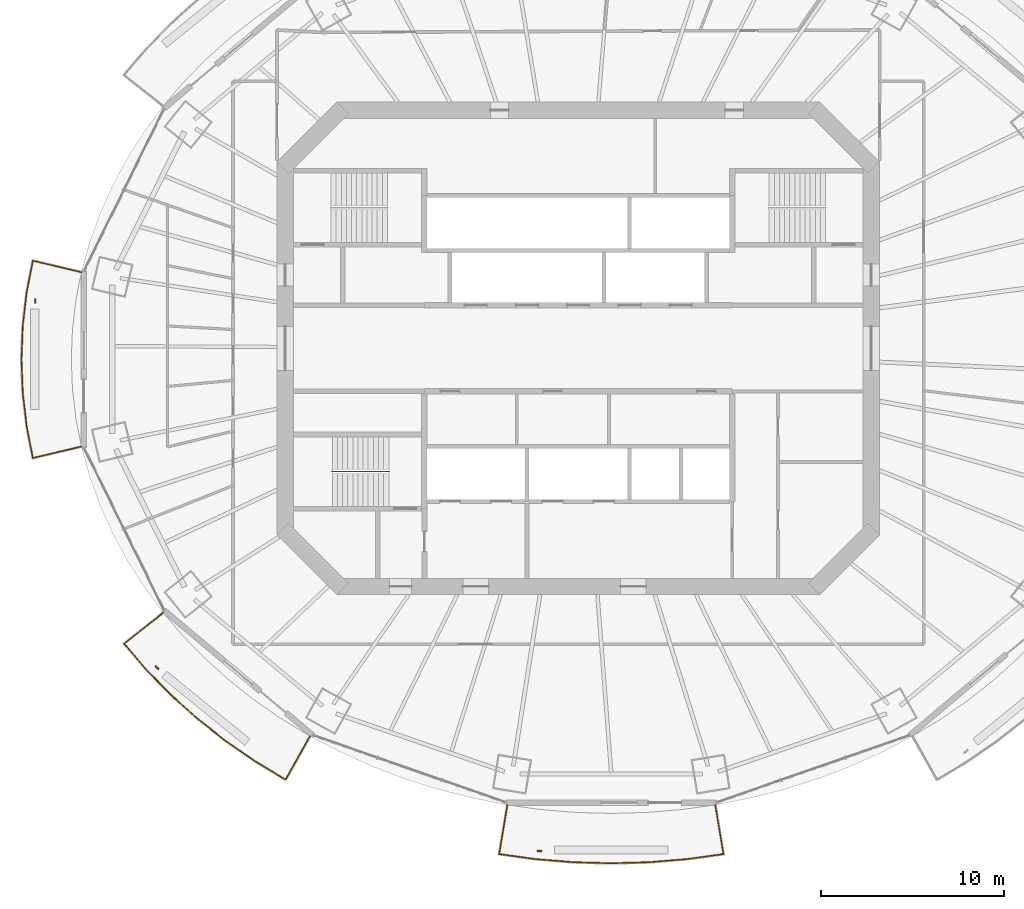
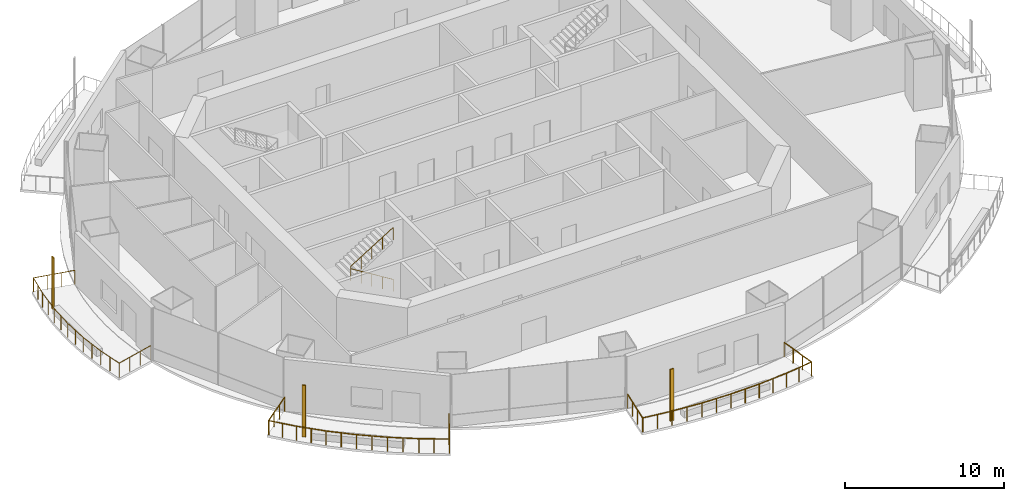
# One storey, part 14 of 18: 4 railings, 3 shading devices.
"""IFC4 building model written with IfcOpenShell, lengths in metres."""

from ifc_helpers import new_model, si_unit, direction, frame, origin, origin_2d, place, context, subcontext, project, spatial, rectangle, circle, extrude, material, material_profile, profile_set, type_object, element, save


model = new_model("IFC4")

# Units and contexts
model_context = context("Model", 3, precision=1e-05, world=origin(), true_north=direction((0.0, 1.0)))
body_context = subcontext(model_context, "Body", "Model", "MODEL_VIEW")
ifc_project = project(units=[si_unit("LENGTHUNIT", "METRE"), si_unit("AREAUNIT", "SQUARE_METRE"), si_unit("VOLUMEUNIT", "CUBIC_METRE"), si_unit("PLANEANGLEUNIT", "RADIAN"), si_unit("MASSUNIT", "GRAM", prefix="KILO")], contexts=[model_context])

# Site, building, storey
site_placement = place(None, origin())
site = spatial("IfcSite", under=ifc_project, at=site_placement, CompositionType="ELEMENT")
building_placement = place(site_placement, origin())
building = spatial("IfcBuilding", under=site, at=building_placement, Name="Marenthal Gate Tower", CompositionType="ELEMENT")
storey_placement = place(building_placement, frame((0.0, 0.0, 260.64990234375)))
storey = spatial("IfcBuildingStorey", under=building, at=storey_placement, Name="L58", CompositionType="ELEMENT", Elevation=260.64990234375)

# Railings
ifc_material_1 = material(Name="Stainless steel", Category="steel")
railing_type_1 = type_object("IfcRailingType", Name="Balcony guard 1100", PredefinedType="GUARDRAIL", material=ifc_material_1)
railing_1_placement = place(storey_placement, frame((-27.1328125, -5.358154296875, 0.0)))
element("IfcRailing", 1, at=railing_1_placement, inside=storey, type_object=railing_type_1, Name="Balcony guard L58 bay 8", PredefinedType="GUARDRAIL", context=body_context, shape_type="SweptSolid", body=[
    extrude(circle(Radius=0.02392578125, at=origin_2d()), frame((0.0, 0.0, 1.076171875), z_axis=(-0.973098377557, -0.22992511697, -0.01462833492), x_axis=(0.229949721547, -0.973202510046, 0.0)), (0.0, 0.0, 1.0), 2.720458984375),
    extrude(circle(Radius=0.02392578125, at=origin_2d()), frame((-2.647216796875, -0.62548828125, 1.0361328125), z_axis=(-0.190992168811, 0.981591560402, 0.0), x_axis=(-0.981591560402, -0.190992168811, 0.0)), (0.0, 0.0, 1.0), 1.76025390625),
    extrude(circle(Radius=0.02392578125, at=origin_2d()), frame((-2.9833984375, 1.102294921875, 1.0361328125), z_axis=(-0.116223982804, 0.993223029244, 0.0), x_axis=(-0.993223029244, -0.116223982804, 0.0)), (0.0, 0.0, 1.0), 1.8359375),
    extrude(circle(Radius=0.02392578125, at=origin_2d()), frame((-3.19677734375, 2.92578125, 1.0361328125), z_axis=(-0.038877979739, 0.999243965552, 0.0), x_axis=(-0.999243965552, -0.038877979739, 0.0)), (0.0, 0.0, 1.0), 1.833740234375),
    extrude(circle(Radius=0.02392578125, at=origin_2d()), frame((-3.26806640625, 4.758056640625, 1.0361328125), z_axis=(0.038872807979, 0.999244166758, 0.0), x_axis=(-0.999244166758, 0.038872807979, 0.0)), (0.0, 0.0, 1.0), 1.833984375),
    extrude(circle(Radius=0.02392578125, at=origin_2d()), frame((-3.19677734375, 6.590576171875, 1.0361328125), z_axis=(0.116223982804, 0.993223029244, 0.0), x_axis=(-0.993223029244, 0.116223982804, 0.0)), (0.0, 0.0, 1.0), 1.8359375),
    extrude(circle(Radius=0.02392578125, at=origin_2d()), frame((-2.9833984375, 8.4140625, 1.0361328125), z_axis=(0.190992168811, 0.981591560402, 0.0), x_axis=(-0.981591560402, 0.190992168811, 0.0)), (0.0, 0.0, 1.0), 1.76025390625),
    extrude(circle(Radius=0.02392578125, at=origin_2d()), frame((-2.647216796875, 10.141845703125, 1.0361328125), z_axis=(0.973078294873, -0.230010114337, 0.014628033023), x_axis=(0.230034726995, 0.973182420914, 0.0)), (0.0, 0.0, 1.0), 2.720458984375),
    extrude(circle(Radius=0.02099609375, at=origin_2d()), origin(), (0.0, 0.0, 1.0), 1.052001953125),
    extrude(circle(Radius=0.02099609375, at=origin_2d()), frame((-0.88232421875, -0.20849609375, -0.01318359375)), (0.0, 0.0, 1.0), 1.052001953125),
    extrude(circle(Radius=0.02099609375, at=origin_2d()), frame((-1.764892578125, -0.4169921875, -0.026611328125)), (0.0, 0.0, 1.0), 1.052001953125),
    extrude(circle(Radius=0.02099609375, at=origin_2d()), frame((-2.647216796875, -0.62548828125, -0.039794921875)), (0.0, 0.0, 1.0), 1.052001953125),
    extrude(circle(Radius=0.02099609375, at=origin_2d()), frame((-2.8154296875, 0.23828125, -0.039794921875)), (0.0, 0.0, 1.0), 1.052001953125),
    extrude(circle(Radius=0.02099609375, at=origin_2d()), frame((-2.9833984375, 1.102294921875, -0.039794921875)), (0.0, 0.0, 1.0), 1.052001953125),
    extrude(circle(Radius=0.02099609375, at=origin_2d()), frame((-3.090087890625, 2.01416015625, -0.039794921875)), (0.0, 0.0, 1.0), 1.052001953125),
    extrude(circle(Radius=0.02099609375, at=origin_2d()), frame((-3.19677734375, 2.92578125, -0.039794921875)), (0.0, 0.0, 1.0), 1.052001953125),
    extrude(circle(Radius=0.02099609375, at=origin_2d()), frame((-3.232421875, 3.841796875, -0.039794921875)), (0.0, 0.0, 1.0), 1.052001953125),
    extrude(circle(Radius=0.02099609375, at=origin_2d()), frame((-3.26806640625, 4.758056640625, -0.039794921875)), (0.0, 0.0, 1.0), 1.052001953125),
    extrude(circle(Radius=0.02099609375, at=origin_2d()), frame((-3.232421875, 5.67431640625, -0.039794921875)), (0.0, 0.0, 1.0), 1.052001953125),
    extrude(circle(Radius=0.02099609375, at=origin_2d()), frame((-3.19677734375, 6.590576171875, -0.039794921875)), (0.0, 0.0, 1.0), 1.052001953125),
    extrude(circle(Radius=0.02099609375, at=origin_2d()), frame((-3.090087890625, 7.50244140625, -0.039794921875)), (0.0, 0.0, 1.0), 1.052001953125),
    extrude(circle(Radius=0.02099609375, at=origin_2d()), frame((-2.9833984375, 8.4140625, -0.039794921875)), (0.0, 0.0, 1.0), 1.052001953125),
    extrude(circle(Radius=0.02099609375, at=origin_2d()), frame((-2.8154296875, 9.27783203125, -0.039794921875)), (0.0, 0.0, 1.0), 1.052001953125),
    extrude(circle(Radius=0.02099609375, at=origin_2d()), frame((-2.647216796875, 10.141845703125, -0.039794921875)), (0.0, 0.0, 1.0), 1.052001953125),
    extrude(circle(Radius=0.02099609375, at=origin_2d()), frame((-1.764892578125, 9.933349609375, -0.026611328125)), (0.0, 0.0, 1.0), 1.052001953125),
    extrude(circle(Radius=0.02099609375, at=origin_2d()), frame((-0.88232421875, 9.724609375, -0.01318359375)), (0.0, 0.0, 1.0), 1.052001953125),
    extrude(circle(Radius=0.02099609375, at=origin_2d()), frame((0.0, 9.51611328125, 0.0)), (0.0, 0.0, 1.0), 1.052001953125),
])
railing_2_placement = place(storey_placement, frame((-14.6484375, -21.17138671875, 0.0)))
element("IfcRailing", 2, at=railing_2_placement, inside=storey, type_object=railing_type_1, Name="Balcony guard L58 bay 10", PredefinedType="GUARDRAIL", context=body_context, shape_type="SweptSolid", body=[
    extrude(circle(Radius=0.02392578125, at=origin_2d()), frame((0.0, 0.0, 1.076171875), z_axis=(-0.49011077196, -0.87153739361, -0.014628832783), x_axis=(0.871630664279, -0.490163222905, 0.0)), (0.0, 0.0, 1.0), 2.72021484375),
    extrude(circle(Radius=0.02392578125, at=origin_2d()), frame((-1.333251953125, -2.370849609375, 1.0361328125), z_axis=(-0.855836862024, 0.517245846383, 0.0), x_axis=(-0.517245846383, -0.855836862024, 0.0)), (0.0, 0.0, 1.0), 1.917236328125),
    extrude(circle(Radius=0.02392578125, at=origin_2d()), frame((-2.97412109375, -1.379150390625, 1.0361328125), z_axis=(-0.823034037929, 0.567992053122, 0.0), x_axis=(-0.567992053122, -0.823034037929, 0.0)), (0.0, 0.0, 1.0), 1.9814453125),
    extrude(circle(Radius=0.02392578125, at=origin_2d()), frame((-4.60498046875, -0.253662109375, 1.0361328125), z_axis=(-0.785632541266, 0.618693389414, 0.0), x_axis=(-0.618693389414, -0.785632541266, 0.0)), (0.0, 0.0, 1.0), 1.965576171875),
    extrude(circle(Radius=0.02392578125, at=origin_2d()), frame((-6.149169921875, 0.96240234375, 1.0361328125), z_axis=(-0.744090634805, 0.668078683387, 0.0), x_axis=(-0.668078683387, -0.744090634805, 0.0)), (0.0, 0.0, 1.0), 1.94970703125),
    extrude(circle(Radius=0.02392578125, at=origin_2d()), frame((-7.599853515625, 2.264892578125, 1.0361328125), z_axis=(-0.698405883907, 0.715701908147, 0.0), x_axis=(-0.715701908147, -0.698405883907, 0.0)), (0.0, 0.0, 1.0), 1.933837890625),
    extrude(circle(Radius=0.02392578125, at=origin_2d()), frame((-8.950439453125, 3.64892578125, 1.0361328125), z_axis=(-0.649828188236, 0.760081131047, 0.0), x_axis=(-0.760081131047, -0.649828188236, 0.0)), (0.0, 0.0, 1.0), 1.837890625),
    extrude(circle(Radius=0.02392578125, at=origin_2d()), frame((-10.144775390625, 5.0458984375, 1.0361328125), z_axis=(0.783091326166, 0.621734667394, 0.014627995206), x_axis=(-0.621801196917, 0.783175121868, 0.0)), (0.0, 0.0, 1.0), 2.720458984375),
    extrude(circle(Radius=0.02099609375, at=origin_2d()), origin(), (0.0, 0.0, 1.0), 1.052001953125),
    extrude(circle(Radius=0.02099609375, at=origin_2d()), frame((-0.4443359375, -0.790283203125, -0.01318359375)), (0.0, 0.0, 1.0), 1.052001953125),
    extrude(circle(Radius=0.02099609375, at=origin_2d()), frame((-0.888916015625, -1.58056640625, -0.026611328125)), (0.0, 0.0, 1.0), 1.052001953125),
    extrude(circle(Radius=0.02099609375, at=origin_2d()), frame((-1.333251953125, -2.370849609375, -0.039794921875)), (0.0, 0.0, 1.0), 1.052001953125),
    extrude(circle(Radius=0.02099609375, at=origin_2d()), frame((-2.15380859375, -1.875, -0.039794921875)), (0.0, 0.0, 1.0), 1.052001953125),
    extrude(circle(Radius=0.02099609375, at=origin_2d()), frame((-2.97412109375, -1.379150390625, -0.039794921875)), (0.0, 0.0, 1.0), 1.052001953125),
    extrude(circle(Radius=0.02099609375, at=origin_2d()), frame((-3.78955078125, -0.81640625, -0.039794921875)), (0.0, 0.0, 1.0), 1.052001953125),
    extrude(circle(Radius=0.02099609375, at=origin_2d()), frame((-4.60498046875, -0.253662109375, -0.039794921875)), (0.0, 0.0, 1.0), 1.052001953125),
    extrude(circle(Radius=0.02099609375, at=origin_2d()), frame((-5.376953125, 0.3544921875, -0.039794921875)), (0.0, 0.0, 1.0), 1.052001953125),
    extrude(circle(Radius=0.02099609375, at=origin_2d()), frame((-6.149169921875, 0.96240234375, -0.039794921875)), (0.0, 0.0, 1.0), 1.052001953125),
    extrude(circle(Radius=0.02099609375, at=origin_2d()), frame((-6.87451171875, 1.61376953125, -0.039794921875)), (0.0, 0.0, 1.0), 1.052001953125),
    extrude(circle(Radius=0.02099609375, at=origin_2d()), frame((-7.599853515625, 2.264892578125, -0.039794921875)), (0.0, 0.0, 1.0), 1.052001953125),
    extrude(circle(Radius=0.02099609375, at=origin_2d()), frame((-8.275146484375, 2.95703125, -0.039794921875)), (0.0, 0.0, 1.0), 1.052001953125),
    extrude(circle(Radius=0.02099609375, at=origin_2d()), frame((-8.950439453125, 3.64892578125, -0.039794921875)), (0.0, 0.0, 1.0), 1.052001953125),
    extrude(circle(Radius=0.02099609375, at=origin_2d()), frame((-9.547607421875, 4.347412109375, -0.039794921875)), (0.0, 0.0, 1.0), 1.052001953125),
    extrude(circle(Radius=0.02099609375, at=origin_2d()), frame((-10.144775390625, 5.0458984375, -0.039794921875)), (0.0, 0.0, 1.0), 1.052001953125),
    extrude(circle(Radius=0.02099609375, at=origin_2d()), frame((-9.4345703125, 5.609619140625, -0.026611328125)), (0.0, 0.0, 1.0), 1.052001953125),
    extrude(circle(Radius=0.02099609375, at=origin_2d()), frame((-8.724609375, 6.173583984375, -0.01318359375)), (0.0, 0.0, 1.0), 1.052001953125),
    extrude(circle(Radius=0.02099609375, at=origin_2d()), frame((-8.014404296875, 6.7373046875, 0.0)), (0.0, 0.0, 1.0), 1.052001953125),
])
railing_3_placement = place(storey_placement, frame((7.47265625, -24.9248046875, 0.0)))
element("IfcRailing", 3, at=railing_3_placement, inside=storey, type_object=railing_type_1, Name="Balcony guard L58 bay 12", PredefinedType="GUARDRAIL", context=body_context, shape_type="SweptSolid", body=[
    extrude(circle(Radius=0.02392578125, at=origin_2d()), frame((0.0, 0.0, 1.076171875), z_axis=(0.165036238026, -0.986179021029, -0.014628008047), x_axis=(0.986284548578, 0.165053897974, 0.0)), (0.0, 0.0, 1.0), 2.720458984375),
    extrude(circle(Radius=0.02392578125, at=origin_2d()), frame((0.448974609375, -2.682861328125, 1.0361328125), z_axis=(-0.990659403163, -0.136359623512, 0.0), x_axis=(0.136359623512, -0.990659403163, 0.0)), (0.0, 0.0, 1.0), 1.99267578125),
    extrude(circle(Radius=0.02392578125, at=origin_2d()), frame((-1.525146484375, -2.95458984375, 1.0361328125), z_axis=(-0.996588596439, -0.082529809449, 0.0), x_axis=(0.082529809449, -0.996588596439, 0.0)), (0.0, 0.0, 1.0), 2.07666015625),
    extrude(circle(Radius=0.02392578125, at=origin_2d()), frame((-3.5947265625, -3.1259765625, 1.0361328125), z_axis=(-0.999622258755, -0.027483445958, 0.0), x_axis=(0.027483445958, -0.999622258755, 0.0)), (0.0, 0.0, 1.0), 2.07861328125),
    extrude(circle(Radius=0.02392578125, at=origin_2d()), frame((-5.672607421875, -3.18310546875, 1.0361328125), z_axis=(-0.999622258755, 0.027483445958, 0.0), x_axis=(-0.027483445958, -0.999622258755, 0.0)), (0.0, 0.0, 1.0), 2.07861328125),
    extrude(circle(Radius=0.02392578125, at=origin_2d()), frame((-7.75048828125, -3.1259765625, 1.0361328125), z_axis=(-0.996588596439, 0.082529809449, 0.0), x_axis=(-0.082529809449, -0.996588596439, 0.0)), (0.0, 0.0, 1.0), 2.07666015625),
    extrude(circle(Radius=0.02392578125, at=origin_2d()), frame((-9.820068359375, -2.95458984375, 1.0361328125), z_axis=(-0.990661680793, 0.136343075395, 0.0), x_axis=(-0.136343075395, -0.990661680793, 0.0)), (0.0, 0.0, 1.0), 1.992919921875),
    extrude(circle(Radius=0.02392578125, at=origin_2d()), frame((-11.79443359375, -2.682861328125, 1.0361328125), z_axis=(0.165123534158, 0.986164411337, 0.014627791341), x_axis=(-0.986269934195, 0.165141202923, 0.0)), (0.0, 0.0, 1.0), 2.720458984375),
    extrude(circle(Radius=0.02099609375, at=origin_2d()), origin(), (0.0, 0.0, 1.0), 1.052001953125),
    extrude(circle(Radius=0.02099609375, at=origin_2d()), frame((0.149658203125, -0.894287109375, -0.01318359375)), (0.0, 0.0, 1.0), 1.052001953125),
    extrude(circle(Radius=0.02099609375, at=origin_2d()), frame((0.29931640625, -1.78857421875, -0.026611328125)), (0.0, 0.0, 1.0), 1.052001953125),
    extrude(circle(Radius=0.02099609375, at=origin_2d()), frame((0.448974609375, -2.682861328125, -0.039794921875)), (0.0, 0.0, 1.0), 1.052001953125),
    extrude(circle(Radius=0.02099609375, at=origin_2d()), frame((-0.5380859375, -2.81884765625, -0.039794921875)), (0.0, 0.0, 1.0), 1.052001953125),
    extrude(circle(Radius=0.02099609375, at=origin_2d()), frame((-1.525146484375, -2.95458984375, -0.039794921875)), (0.0, 0.0, 1.0), 1.052001953125),
    extrude(circle(Radius=0.02099609375, at=origin_2d()), frame((-2.56005859375, -3.040283203125, -0.039794921875)), (0.0, 0.0, 1.0), 1.052001953125),
    extrude(circle(Radius=0.02099609375, at=origin_2d()), frame((-3.5947265625, -3.1259765625, -0.039794921875)), (0.0, 0.0, 1.0), 1.052001953125),
    extrude(circle(Radius=0.02099609375, at=origin_2d()), frame((-4.6337890625, -3.154541015625, -0.039794921875)), (0.0, 0.0, 1.0), 1.052001953125),
    extrude(circle(Radius=0.02099609375, at=origin_2d()), frame((-5.672607421875, -3.18310546875, -0.039794921875)), (0.0, 0.0, 1.0), 1.052001953125),
    extrude(circle(Radius=0.02099609375, at=origin_2d()), frame((-6.71142578125, -3.154541015625, -0.039794921875)), (0.0, 0.0, 1.0), 1.052001953125),
    extrude(circle(Radius=0.02099609375, at=origin_2d()), frame((-7.75048828125, -3.1259765625, -0.039794921875)), (0.0, 0.0, 1.0), 1.052001953125),
    extrude(circle(Radius=0.02099609375, at=origin_2d()), frame((-8.78515625, -3.040283203125, -0.039794921875)), (0.0, 0.0, 1.0), 1.052001953125),
    extrude(circle(Radius=0.02099609375, at=origin_2d()), frame((-9.820068359375, -2.95458984375, -0.039794921875)), (0.0, 0.0, 1.0), 1.052001953125),
    extrude(circle(Radius=0.02099609375, at=origin_2d()), frame((-10.80712890625, -2.81884765625, -0.039794921875)), (0.0, 0.0, 1.0), 1.052001953125),
    extrude(circle(Radius=0.02099609375, at=origin_2d()), frame((-11.79443359375, -2.682861328125, -0.039794921875)), (0.0, 0.0, 1.0), 1.052001953125),
    extrude(circle(Radius=0.02099609375, at=origin_2d()), frame((-11.644775390625, -1.78857421875, -0.026611328125)), (0.0, 0.0, 1.0), 1.052001953125),
    extrude(circle(Radius=0.02099609375, at=origin_2d()), frame((-11.494873046875, -0.894287109375, -0.01318359375)), (0.0, 0.0, 1.0), 1.052001953125),
    extrude(circle(Radius=0.02099609375, at=origin_2d()), frame((-11.34521484375, 0.0, 0.0)), (0.0, 0.0, 1.0), 1.052001953125),
])
ifc_material_2 = material(Name="Stainless steel", Category="steel")
railing_type_2 = type_object("IfcRailingType", Name="Stair handrail", PredefinedType="HANDRAIL", material=ifc_material_2)
railing_4_placement = place(storey_placement, frame((-10.35009765625, -6.72509765625, 0.173095703125)))
element("IfcRailing", 4, at=railing_4_placement, inside=storey, type_object=railing_type_2, Name="Handrail ST2", PredefinedType="HANDRAIL", context=body_context, shape_type="SweptSolid", body=[
    extrude(circle(Radius=0.0224609375, at=origin_2d()), frame((0.0, 0.0, 0.927490234375), z_axis=(-0.850816621229, 0.0, 0.525462726595), x_axis=(0.0, -1.0, 0.0)), (0.0, 0.0, 1.0), 3.619873046875),
    extrude(circle(Radius=0.0224609375, at=origin_2d()), frame((-3.079833984375, 0.0, 2.82958984375), z_axis=(0.0, 0.0, 1.0), x_axis=(1.0, 0.0, 0.0)), (0.0, 0.0, 1.0), 0.1728515625),
    extrude(circle(Radius=0.0224609375, at=origin_2d()), frame((-3.079833984375, 0.0, 3.00244140625), z_axis=(0.850816621229, 0.0, 0.525462726595), x_axis=(0.0, 1.0, 0.0)), (0.0, 0.0, 1.0), 3.619873046875),
    extrude(circle(Radius=0.02001953125, at=origin_2d()), origin(), (0.0, 0.0, 1.0), 0.905029296875),
    extrude(circle(Radius=0.02001953125, at=origin_2d()), frame((-0.77001953125, 0.0, 0.4755859375)), (0.0, 0.0, 1.0), 0.905029296875),
    extrude(circle(Radius=0.02001953125, at=origin_2d()), frame((-1.5400390625, 0.0, 0.951171875)), (0.0, 0.0, 1.0), 0.905029296875),
    extrude(circle(Radius=0.02001953125, at=origin_2d()), frame((-2.309814453125, 0.0, 1.426513671875)), (0.0, 0.0, 1.0), 0.905029296875),
    extrude(circle(Radius=0.02001953125, at=origin_2d()), frame((-3.079833984375, 0.0, 1.902099609375)), (0.0, 0.0, 1.0), 0.905029296875),
    extrude(circle(Radius=0.02001953125, at=origin_2d()), frame((-3.079833984375, 0.0, 2.074951171875)), (0.0, 0.0, 1.0), 0.905029296875),
    extrude(circle(Radius=0.02001953125, at=origin_2d()), frame((-2.309814453125, 0.0, 2.550537109375)), (0.0, 0.0, 1.0), 0.905029296875),
    extrude(circle(Radius=0.02001953125, at=origin_2d()), frame((-1.5400390625, 0.0, 3.02587890625)), (0.0, 0.0, 1.0), 0.905029296875),
    extrude(circle(Radius=0.02001953125, at=origin_2d()), frame((-0.77001953125, 0.0, 3.50146484375)), (0.0, 0.0, 1.0), 0.905029296875),
    extrude(circle(Radius=0.02001953125, at=origin_2d()), frame((0.0, 0.0, 3.97705078125)), (0.0, 0.0, 1.0), 0.905029296875),
])

# Shading devices
ifc_material_3 = material(Name="Terracotta", Category="masonry")
ifc_material_profile = material_profile(ifc_material_3, rectangle(XDim=0.25, YDim=0.080078125, at=origin_2d()), Name="Terracotta baguette 250x80")
ifc_profile_set = profile_set([ifc_material_profile], Name="Terracotta")
shading_device_type = type_object("IfcShadingDeviceType", Name="Terracotta BAGUETTE SCREEN 250x80", PredefinedType="USERDEFINED", material=ifc_profile_set)
for number, where, z_axis, x_axis, name in (
    (5, (-29.64794921875, 2.58056640625, -0.039794921875), (0.0, 0.0, 1.0), (0.0, -1.0, 0.0), "Terracotta BAGUETTE L58 bay 8L"),
    (6, (-23.0029296875, -17.427490234375, -0.039794921875), (0.0, 0.0, 1.0), (0.765301302142, -0.64367221234, 0.0), "Terracotta BAGUETTE L58 bay 10L"),
    (7, (-2.11328125, -27.43310546875, -0.039794921875), (0.0, 0.0, 1.0), (1.0, 0.0, 0.0), "Terracotta BAGUETTE L58 bay 12L"),
):
    element("IfcShadingDevice", number, at=place(storey_placement, frame(where, z_axis=z_axis, x_axis=x_axis)), inside=storey, type_object=shading_device_type, Name=name, ObjectType="BAGUETTE SCREEN", PredefinedType="USERDEFINED", context=body_context, shape_type="SweptSolid", body=[
        extrude(rectangle(XDim=0.25, YDim=0.080078125, at=origin_2d()), origin(), (0.0, 0.0, 1.0), 3.969970703125),
    ])

save(model, "model.ifc")
